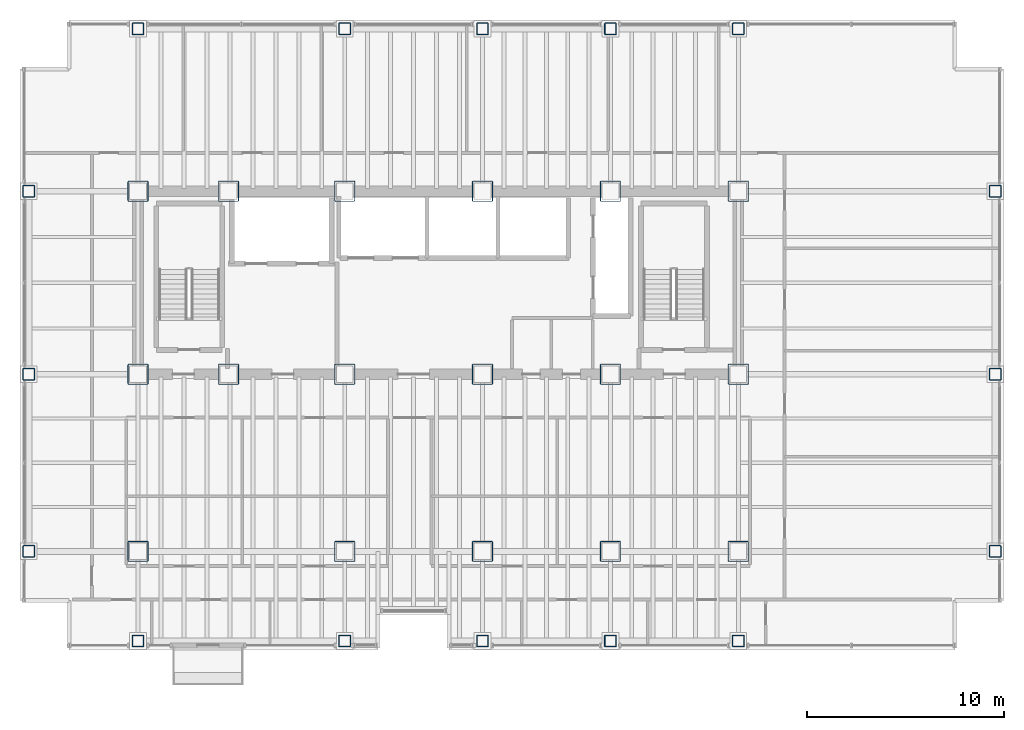
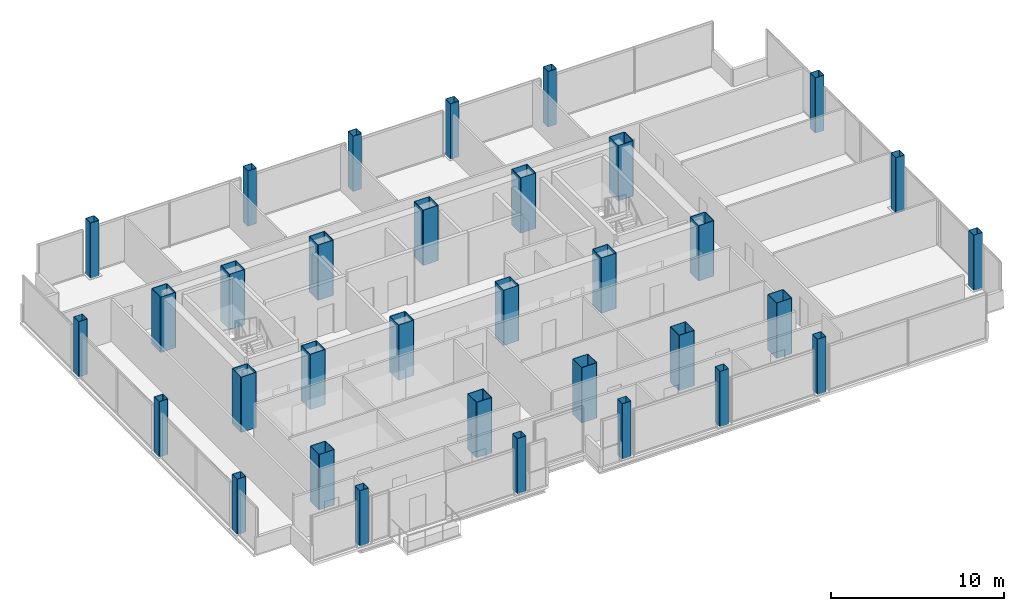
# One storey, part 1 of 20: 33 columns.
"""IFC4 building model written with IfcOpenShell, lengths in metres."""

from ifc_helpers import new_model, si_unit, direction, frame, origin, origin_2d, place, context, subcontext, project, spatial, hollow_rectangle, extrude, material, material_profile, profile_set, type_object, element, save


model = new_model("IFC4")

# Units and contexts
model_context = context("Model", 3, precision=1e-05, world=origin(), true_north=direction((0.0, 1.0)))
body_context = subcontext(model_context, "Body", "Model", "MODEL_VIEW")
ifc_project = project(units=[si_unit("LENGTHUNIT", "METRE"), si_unit("AREAUNIT", "SQUARE_METRE"), si_unit("VOLUMEUNIT", "CUBIC_METRE"), si_unit("PLANEANGLEUNIT", "RADIAN"), si_unit("MASSUNIT", "GRAM", prefix="KILO")], contexts=[model_context])

# Site, building, storey
site_placement = place(None, origin())
site = spatial("IfcSite", under=ifc_project, at=site_placement, CompositionType="ELEMENT")
building_placement = place(site_placement, origin())
building = spatial("IfcBuilding", under=site, at=building_placement, Name="Noeulbin Bourse Tower", CompositionType="ELEMENT")
storey_placement = place(building_placement, frame((0.0, 0.0, 65.5)))
storey = spatial("IfcBuildingStorey", under=building, at=storey_placement, Name="L16", CompositionType="ELEMENT", Elevation=65.5)

# Columns
ifc_material = material(Name="Steel S460", Category="steel")
ifc_material_profile_1 = material_profile(ifc_material, hollow_rectangle(XDim=0.60009765625, YDim=0.60009765625, WallThickness=0.02587890625, InnerFilletRadius=0.012939453125, OuterFilletRadius=0.0390625, at=origin_2d()), Name="BOX-600x600x26", Category="LoadBearing")
ifc_profile_set_1 = profile_set([ifc_material_profile_1], Name="Steel S460")
column_type_1 = type_object("IfcColumnType", Name="COL-PER-Z1", PredefinedType="COLUMN", material=ifc_profile_set_1)
for number, where, z_axis, x_axis, name in (
    (1, (7.949951171875, 20.0, 0.0), (0.0, 0.0, 1.0), (1.0, 0.0, 0.0), "Tower Perimeter Column COL-PER-Z1 01"),
    (2, (7.949951171875, 29.0, 0.0), (0.0, 0.0, 1.0), (1.0, 0.0, 0.0), "Tower Perimeter Column COL-PER-Z1 02"),
    (3, (7.949951171875, 38.300048828125, 0.0), (0.0, 0.0, 1.0), (1.0, 0.0, 0.0), "Tower Perimeter Column COL-PER-Z1 03"),
    (4, (13.5, 15.449951171875, 0.0), (0.0, 0.0, 1.0), (1.0, 0.0, 0.0), "Tower Perimeter Column COL-PER-Z1 04"),
    (5, (13.5, 46.550048828125, 0.0), (0.0, 0.0, 1.0), (1.0, 0.0, 0.0), "Tower Perimeter Column COL-PER-Z1 05"),
    (6, (24.0, 15.449951171875, 0.0), (0.0, 0.0, 1.0), (1.0, 0.0, 0.0), "Tower Perimeter Column COL-PER-Z1 06"),
    (7, (24.0, 46.550048828125, 0.0), (0.0, 0.0, 1.0), (1.0, 0.0, 0.0), "Tower Perimeter Column COL-PER-Z1 07"),
    (8, (31.0, 15.449951171875, 0.0), (0.0, 0.0, 1.0), (1.0, 0.0, 0.0), "Tower Perimeter Column COL-PER-Z1 08"),
    (9, (31.0, 46.550048828125, 0.0), (0.0, 0.0, 1.0), (1.0, 0.0, 0.0), "Tower Perimeter Column COL-PER-Z1 09"),
    (10, (37.5, 15.449951171875, 0.0), (0.0, 0.0, 1.0), (1.0, 0.0, 0.0), "Tower Perimeter Column COL-PER-Z1 10"),
    (11, (37.5, 46.550048828125, 0.0), (0.0, 0.0, 1.0), (1.0, 0.0, 0.0), "Tower Perimeter Column COL-PER-Z1 11"),
    (12, (44.0, 15.449951171875, 0.0), (0.0, 0.0, 1.0), (1.0, 0.0, 0.0), "Tower Perimeter Column COL-PER-Z1 12"),
    (13, (44.0, 46.550048828125, 0.0), (0.0, 0.0, 1.0), (1.0, 0.0, 0.0), "Tower Perimeter Column COL-PER-Z1 13"),
    (14, (57.050048828125, 20.0, 0.0), (0.0, 0.0, 1.0), (1.0, 0.0, 0.0), "Tower Perimeter Column COL-PER-Z1 14"),
    (15, (57.050048828125, 29.0, 0.0), (0.0, 0.0, 1.0), (1.0, 0.0, 0.0), "Tower Perimeter Column COL-PER-Z1 15"),
    (16, (57.050048828125, 38.300048828125, 0.0), (0.0, 0.0, 1.0), (1.0, 0.0, 0.0), "Tower Perimeter Column COL-PER-Z1 16"),
):
    element("IfcColumn", number, at=place(storey_placement, frame(where, z_axis=z_axis, x_axis=x_axis)), inside=storey, type_object=column_type_1, Name=name, PredefinedType="COLUMN", context=body_context, shape_type="SweptSolid", body=[
        extrude(hollow_rectangle(XDim=0.60009765625, YDim=0.60009765625, WallThickness=0.02587890625, InnerFilletRadius=0.012939453125, OuterFilletRadius=0.0390625, at=origin_2d()), origin(), (0.0, 0.0, 1.0), 3.89990234375),
    ])
ifc_material_profile_2 = material_profile(ifc_material, hollow_rectangle(XDim=1.050048828125, YDim=1.050048828125, WallThickness=0.0380859375, InnerFilletRadius=0.01904296875, OuterFilletRadius=0.056884765625, at=origin_2d()), Name="BOX-1050x1050x38", Category="LoadBearing")
ifc_profile_set_2 = profile_set([ifc_material_profile_2], Name="Steel S460")
column_type_2 = type_object("IfcColumnType", Name="COL-TRK-Z1", PredefinedType="COLUMN", material=ifc_profile_set_2)
for number, where, z_axis, x_axis, name in (
    (17, (13.5, 29.0, 0.0), (0.0, 0.0, 1.0), (1.0, 0.0, 0.0), "Tower Trunk Mega-Column COL-TRK-Z1 01"),
    (18, (13.5, 38.300048828125, 0.0), (0.0, 0.0, 1.0), (1.0, 0.0, 0.0), "Tower Trunk Mega-Column COL-TRK-Z1 02"),
    (19, (18.10009765625, 29.0, 0.0), (0.0, 0.0, 1.0), (1.0, 0.0, 0.0), "Tower Trunk Mega-Column COL-TRK-Z1 03"),
    (20, (18.10009765625, 38.300048828125, 0.0), (0.0, 0.0, 1.0), (1.0, 0.0, 0.0), "Tower Trunk Mega-Column COL-TRK-Z1 04"),
    (21, (24.0, 29.0, 0.0), (0.0, 0.0, 1.0), (1.0, 0.0, 0.0), "Tower Trunk Mega-Column COL-TRK-Z1 05"),
    (22, (24.0, 38.300048828125, 0.0), (0.0, 0.0, 1.0), (1.0, 0.0, 0.0), "Tower Trunk Mega-Column COL-TRK-Z1 06"),
    (23, (31.0, 29.0, 0.0), (0.0, 0.0, 1.0), (1.0, 0.0, 0.0), "Tower Trunk Mega-Column COL-TRK-Z1 07"),
    (24, (31.0, 38.300048828125, 0.0), (0.0, 0.0, 1.0), (1.0, 0.0, 0.0), "Tower Trunk Mega-Column COL-TRK-Z1 08"),
    (25, (37.5, 29.0, 0.0), (0.0, 0.0, 1.0), (1.0, 0.0, 0.0), "Tower Trunk Mega-Column COL-TRK-Z1 09"),
    (26, (37.5, 38.300048828125, 0.0), (0.0, 0.0, 1.0), (1.0, 0.0, 0.0), "Tower Trunk Mega-Column COL-TRK-Z1 10"),
    (27, (44.0, 29.0, 0.0), (0.0, 0.0, 1.0), (1.0, 0.0, 0.0), "Tower Trunk Mega-Column COL-TRK-Z1 11"),
    (28, (44.0, 38.300048828125, 0.0), (0.0, 0.0, 1.0), (1.0, 0.0, 0.0), "Tower Trunk Mega-Column COL-TRK-Z1 12"),
    (29, (13.5, 20.0, 0.0), (0.0, 0.0, 1.0), (1.0, 0.0, 0.0), "Tower Trunk Mega-Column COL-TRK-Z1 13"),
    (30, (24.0, 20.0, 0.0), (0.0, 0.0, 1.0), (1.0, 0.0, 0.0), "Tower Trunk Mega-Column COL-TRK-Z1 14"),
    (31, (31.0, 20.0, 0.0), (0.0, 0.0, 1.0), (1.0, 0.0, 0.0), "Tower Trunk Mega-Column COL-TRK-Z1 15"),
    (32, (37.5, 20.0, 0.0), (0.0, 0.0, 1.0), (1.0, 0.0, 0.0), "Tower Trunk Mega-Column COL-TRK-Z1 16"),
    (33, (44.0, 20.0, 0.0), (0.0, 0.0, 1.0), (1.0, 0.0, 0.0), "Tower Trunk Mega-Column COL-TRK-Z1 17"),
):
    element("IfcColumn", number, at=place(storey_placement, frame(where, z_axis=z_axis, x_axis=x_axis)), inside=storey, type_object=column_type_2, Name=name, PredefinedType="COLUMN", context=body_context, shape_type="SweptSolid", body=[
        extrude(hollow_rectangle(XDim=1.050048828125, YDim=1.050048828125, WallThickness=0.0380859375, InnerFilletRadius=0.01904296875, OuterFilletRadius=0.056884765625, at=origin_2d()), origin(), (0.0, 0.0, 1.0), 3.89990234375),
    ])

save(model, "model.ifc")
